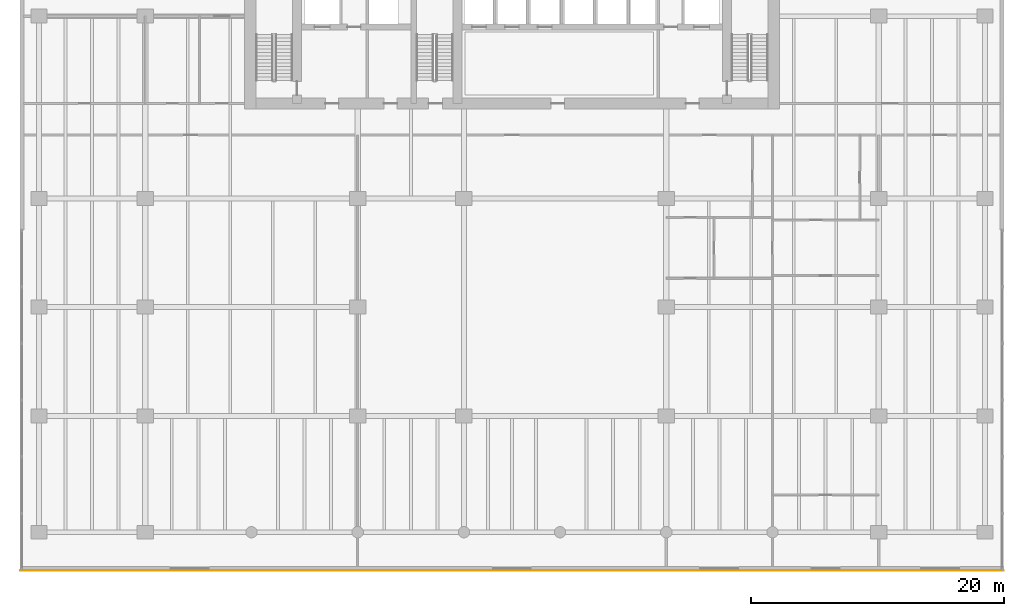
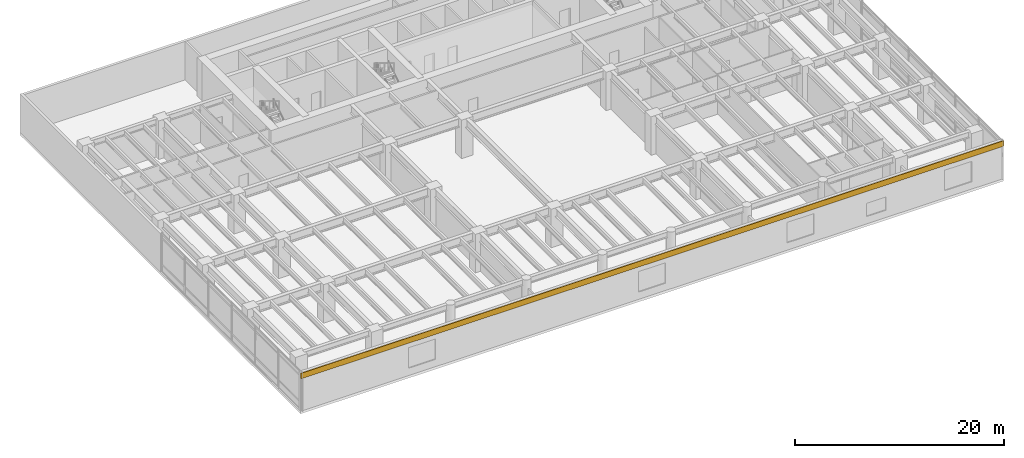
# One storey, part 11 of 13: 1 covering.
"""IFC4 building model written with IfcOpenShell, lengths in metres."""

import ifcopenshell
import ifcopenshell.guid

model = None  # the IFC model being written
_history = None  # IfcOwnerHistory: only IFC2X3 demands one
_inside = {}  # id of a spatial element -> (the spatial element, [elements in it])
_under = {}  # id of a project, library or spatial element -> (it, [spatial elements below it])
_declared = {}  # id of a project -> (the project, [libraries it declares])
_typed = {}  # id of a type object -> (the type object, [elements of that type])
_made_of = {}  # id of a material, layer set ... -> (it, [elements and type objects made of it])


def new_model(schema):
    """Start an empty IFC model of exactly this schema.

    Asked for "IFC4X3", IfcOpenShell would pick the latest addendum, in which some entities
    have other attributes; the version numbers below select the first issue.
    IFC2X3 requires an IfcOwnerHistory on every rooted entity: one is made here for all.
    """
    global model, _history
    if schema == "IFC4X3":
        model = ifcopenshell.file(schema_version=(4, 3, 0, 0))
    else:
        model = ifcopenshell.file(schema=schema)
    _inside.clear()
    _under.clear()
    _declared.clear()
    _typed.clear()
    _made_of.clear()
    _history = None
    if model.schema == "IFC2X3":
        org = make("IfcOrganization", Name="unknown")
        user = make(
            "IfcPersonAndOrganization",
            ThePerson=make("IfcPerson", FamilyName="unknown"),
            TheOrganization=org,
        )
        app = make(
            "IfcApplication",
            ApplicationDeveloper=org,
            Version="unknown",
            ApplicationFullName="unknown",
            ApplicationIdentifier="unknown",
        )
        _history = make(
            "IfcOwnerHistory",
            OwningUser=user,
            OwningApplication=app,
            ChangeAction="ADDED",
            CreationDate=0,
        )
    return model


def make(cls, **values):
    """One entity of the class cls with the attributes given. An attribute that is None is left unset."""
    return model.create_entity(
        cls, **{name: value for name, value in values.items() if value is not None}
    )


def rooted(cls, **values):
    """An entity with a GlobalId (a new one), such as an element, a storey or a relation."""
    return make(cls, GlobalId=ifcopenshell.guid.new(), OwnerHistory=_history, **values)


def si_unit(unit_type, name, prefix=None):
    """IfcSIUnit, for example si_unit("LENGTHUNIT", "METRE", prefix="MILLI")."""
    return make("IfcSIUnit", UnitType=unit_type, Prefix=prefix, Name=name)


def assignment(units):
    """IfcUnitAssignment: the units of a project."""
    return None if units is None else make("IfcUnitAssignment", Units=units)


def point(xyz):
    """IfcCartesianPoint."""
    return None if xyz is None else make("IfcCartesianPoint", Coordinates=xyz)


def direction(xyz):
    """IfcDirection."""
    return None if xyz is None else make("IfcDirection", DirectionRatios=xyz)


def frame(location, z_axis=None, x_axis=None):
    """IfcAxis2Placement3D, a coordinate frame: its origin and axes. An axis left out is left unset."""
    return make(
        "IfcAxis2Placement3D",
        Location=point(location),
        Axis=direction(z_axis),
        RefDirection=direction(x_axis),
    )


def frame_2d(location, x_axis=None):
    """IfcAxis2Placement2D, a coordinate frame in the plane: its origin and x axis."""
    return make(
        "IfcAxis2Placement2D", Location=point(location), RefDirection=direction(x_axis)
    )


def origin():
    """The frame at (0, 0, 0) with its axes left unset."""
    return frame((0.0, 0.0, 0.0))


def origin_2d():
    """The frame at (0, 0) in the plane with its x axis left unset."""
    return frame_2d((0.0, 0.0))


def place(relative_to, where):
    """IfcLocalPlacement: puts the frame where relative to a parent placement (None: the world)."""
    return make(
        "IfcLocalPlacement", PlacementRelTo=relative_to, RelativePlacement=where
    )


def context(
    kind, dimensions, precision=None, world=None, true_north=None, identifier=None
):
    """IfcGeometricRepresentationContext, for example the 3D "Model" context."""
    return make(
        "IfcGeometricRepresentationContext",
        ContextIdentifier=identifier,
        ContextType=kind,
        CoordinateSpaceDimension=dimensions,
        Precision=precision,
        WorldCoordinateSystem=world,
        TrueNorth=true_north,
    )


def subcontext(parent, identifier, kind, view, scale=None):
    """IfcGeometricRepresentationSubContext, for example "Body" below "Model"."""
    return make(
        "IfcGeometricRepresentationSubContext",
        ContextIdentifier=identifier,
        ContextType=kind,
        ParentContext=parent,
        TargetScale=scale,
        TargetView=view,
    )


def project(units=None, contexts=None):
    """IfcProject with its units and contexts."""
    return rooted(
        "IfcProject",
        Name="project",
        RepresentationContexts=contexts,
        UnitsInContext=assignment(units),
    )


def spatial(cls, under=None, at=None, **own):
    """A site, building, storey or space (cls), placed at a placement, below another one or the project."""
    s = rooted(cls, ObjectPlacement=at, **own)
    if under is not None:
        _under.setdefault(under.id(), (under, []))[1].append(s)
    return s


def profile(cls, at=None, kind="AREA", **sizes):
    """A parametric profile (cls). Its sizes go by their IFC names, for example OverallWidth=200.0."""
    return make(cls, ProfileType=kind, Position=at, **sizes)


def rectangle(**sizes):
    """IfcRectangleProfileDef."""
    return profile("IfcRectangleProfileDef", **sizes)


def extrude(swept, where, along, depth):
    """IfcExtrudedAreaSolid: the profile swept, set in the frame where, extruded along a direction by depth."""
    return make(
        "IfcExtrudedAreaSolid",
        SweptArea=swept,
        Position=where,
        ExtrudedDirection=direction(along),
        Depth=depth,
    )


def shape(context_of_items, identifier, shape_type, items):
    """IfcShapeRepresentation: the items that make up one representation, for example the "Body"."""
    return make(
        "IfcShapeRepresentation",
        ContextOfItems=context_of_items,
        RepresentationIdentifier=identifier,
        RepresentationType=shape_type,
        Items=items,
    )


def material(Name=None, Category=None):
    """IfcMaterial."""
    return make("IfcMaterial", Name=Name, Category=Category)


def layer(
    of_material, thickness, ventilated=None, Name=None, Category=None, Priority=None
):
    """IfcMaterialLayer: one layer of a wall or slab, of a material (None: an air gap)."""
    return make(
        "IfcMaterialLayer",
        Material=of_material,
        LayerThickness=thickness,
        IsVentilated=ventilated,
        Name=Name,
        Category=Category,
        Priority=Priority,
    )


def layer_set(layers, Name=None):
    """IfcMaterialLayerSet."""
    return make("IfcMaterialLayerSet", MaterialLayers=layers, LayerSetName=Name)


def made_of(thing, what):
    """Note that an element or type object is made of a material, layer set ...; save() writes the relation."""
    if what is not None:
        _made_of.setdefault(what.id(), (what, []))[1].append(thing)
    return thing


def type_object(cls, material=None, **own):
    """A type object (cls), such as IfcWallType, which elements share."""
    return made_of(rooted(cls, **own), material)


def element(
    cls,
    number,
    at=None,
    inside=None,
    cuts=None,
    type_object=None,
    material=None,
    context=None,
    identifier="Body",
    shape_type=None,
    held_by="IfcProductDefinitionShape",
    body=None,
    shapes=None,
    **own,
):
    """One element of the class cls, such as IfcWall. Its Tag is "e" and its number.

    at: its placement. inside: the storey or other place that contains it. cuts: it is an
    opening in that element (IfcRelVoidsElement). A single representation is given by context,
    identifier, shape_type and body (its items); several are given by shapes. held_by: the class
    of the entity that holds the representations. save() writes the other relations.
    """
    e = rooted(cls, Tag="e%d" % number, ObjectPlacement=at, **own)
    if body is not None:
        shapes = [shape(context, identifier, shape_type, body)]
    if shapes is not None:
        e.Representation = make(held_by, Representations=shapes)
    if inside is not None:
        _inside.setdefault(inside.id(), (inside, []))[1].append(e)
    if cuts is not None:
        rooted(
            "IfcRelVoidsElement", RelatingBuildingElement=cuts, RelatedOpeningElement=e
        )
    if type_object is not None:
        _typed.setdefault(type_object.id(), (type_object, []))[1].append(e)
    return made_of(e, material)


def aggregate(whole, parts):
    """IfcRelAggregates: a whole, such as a stair, and the parts it consists of."""
    return rooted("IfcRelAggregates", RelatingObject=whole, RelatedObjects=parts)


def save(model, path):
    """Write the relations noted so far, then the file.

    IfcRelAggregates (storeys below a building ...), IfcRelContainedInSpatialStructure (elements
    in a storey), IfcRelDefinesByType, IfcRelAssociatesMaterial and IfcRelDeclares: one each for
    every whole, place, type object, material and project.
    """
    for whole, parts in _under.values():
        aggregate(whole, parts)
    for where, things in _inside.values():
        rooted(
            "IfcRelContainedInSpatialStructure",
            RelatedElements=things,
            RelatingStructure=where,
        )
    for kind, things in _typed.values():
        rooted("IfcRelDefinesByType", RelatedObjects=things, RelatingType=kind)
    for what, things in _made_of.values():
        rooted("IfcRelAssociatesMaterial", RelatedObjects=things, RelatingMaterial=what)
    for by, libraries in _declared.values():
        rooted("IfcRelDeclares", RelatingContext=by, RelatedDefinitions=libraries)
    model.write(path)


model = new_model("IFC4")

# Units and contexts
model_context = context("Model", 3, precision=1e-05, world=origin(), true_north=direction((0.0, 1.0)))
body_context = subcontext(model_context, "Body", "Model", "MODEL_VIEW")
ifc_project = project(units=[si_unit("LENGTHUNIT", "METRE"), si_unit("AREAUNIT", "SQUARE_METRE"), si_unit("VOLUMEUNIT", "CUBIC_METRE"), si_unit("PLANEANGLEUNIT", "RADIAN"), si_unit("MASSUNIT", "GRAM", prefix="KILO")], contexts=[model_context])

# Site, building, storey
site_placement = place(None, origin())
site = spatial("IfcSite", under=ifc_project, at=site_placement, CompositionType="ELEMENT")
building_placement = place(site_placement, origin())
building = spatial("IfcBuilding", under=site, at=building_placement, Name="Caelmar Bay Residences", CompositionType="ELEMENT")
storey_placement = place(building_placement, frame((0.0, 0.0, 5.39990234375)))
storey = spatial("IfcBuildingStorey", under=building, at=storey_placement, Name="L01", CompositionType="ELEMENT", Elevation=5.39990234375)

# Covering
ifc_material = material(Name="Honed Florida oolitic limestone rainscreen 60 mm", Category="masonry")
ifc_layer = layer(ifc_material, 0.06005859375)
ifc_layer_set = layer_set([ifc_layer], Name="Honed Florida oolitic limestone rainscreen 60 mm")
covering_type = type_object("IfcCoveringType", Name="COV-CLAD-60", PredefinedType="CLADDING", material=ifc_layer_set)
covering_placement = place(storey_placement, frame((38.89990234375, -0.030029296875, 3.8251953125), z_axis=(0.0, 0.0, 1.0), x_axis=(1.0, 0.0, 0.0)))
element("IfcCovering", 1, at=covering_placement, inside=storey, type_object=covering_type, Name="L01 Oolitic Limestone Spandrel Cladding", PredefinedType="CLADDING", context=body_context, shape_type="SweptSolid", body=[
    extrude(rectangle(XDim=77.800048828125, YDim=0.06005859375, at=origin_2d()), origin(), (0.0, 0.0, 1.0), 0.64990234375),
])

save(model, "model.ifc")
